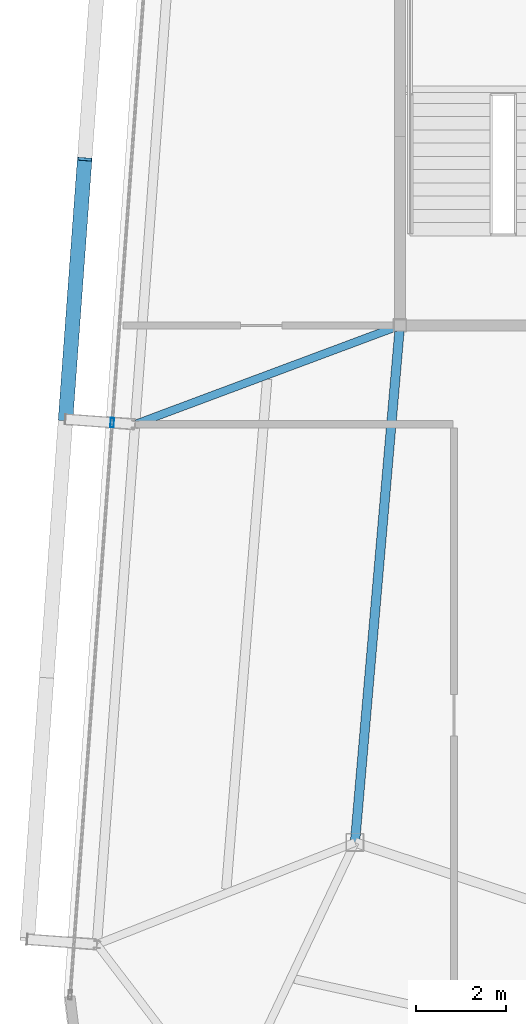
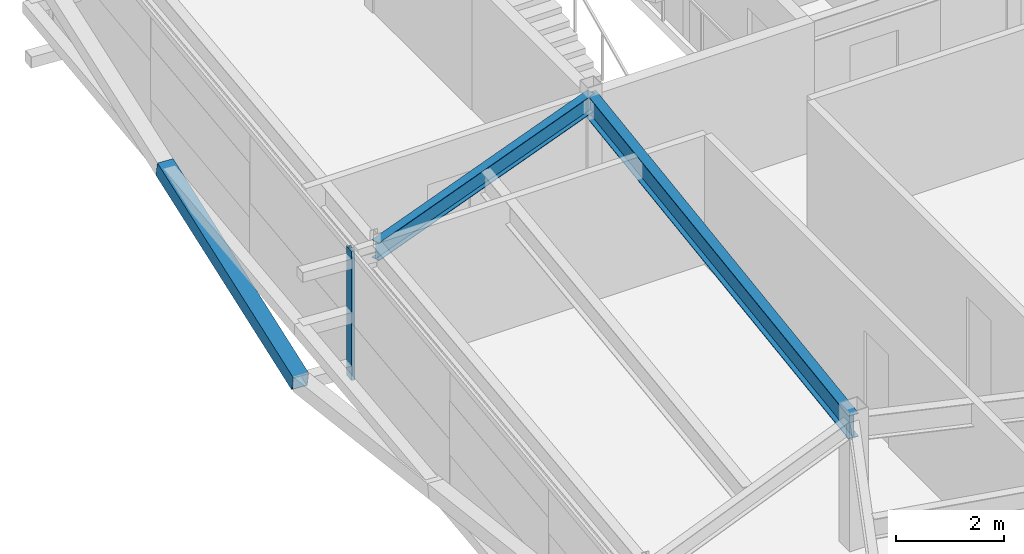
# One storey, part 13 of 36: 2 beams, 2 members, 1 element without a shape of its own.
"""IFC4 building model written with IfcOpenShell, lengths in metres."""

from ifc_helpers import new_model, si_unit, direction, frame, origin, origin_2d, place, context, subcontext, project, spatial, hollow_rectangle, i_section, extrude, source, transform, mapped, material, layer, layer_set, material_profile, profile_set, type_object, element, aggregate, save


model = new_model("IFC4")

# Units and contexts
model_context = context("Model", 3, precision=1e-05, world=origin(), true_north=direction((0.0, 1.0)))
body_context = subcontext(model_context, "Body", "Model", "MODEL_VIEW")
ifc_project = project(units=[si_unit("LENGTHUNIT", "METRE"), si_unit("AREAUNIT", "SQUARE_METRE"), si_unit("VOLUMEUNIT", "CUBIC_METRE"), si_unit("PLANEANGLEUNIT", "RADIAN"), si_unit("MASSUNIT", "GRAM", prefix="KILO")], contexts=[model_context])

# Site, building, storey
site_placement = place(None, origin())
site = spatial("IfcSite", under=ifc_project, at=site_placement, CompositionType="ELEMENT")
building_placement = place(site_placement, origin())
building = spatial("IfcBuilding", under=site, at=building_placement, Name="Taldren Reach Tower", CompositionType="ELEMENT")
storey_placement = place(building_placement, frame((0.0, 0.0, 227.14990234375)))
storey = spatial("IfcBuildingStorey", under=building, at=storey_placement, Name="L69", CompositionType="ELEMENT", Elevation=227.14990234375)

# Beams
ifc_material_1 = material(Name="Steel Gr 350 (350PLUS)", Category="steel")
ifc_material_profile_1 = material_profile(ifc_material_1, i_section(OverallWidth=0.208984375, OverallDepth=0.532958984375, WebThickness=0.01025390625, FlangeThickness=0.015625, at=origin_2d()), Name="530UB92.4")
ifc_profile_set_1 = profile_set([ifc_material_profile_1], Name="Steel Gr 350 (350PLUS)")
beam_type_1 = type_object("IfcBeamType", Name="BM-UB530A", PredefinedType="BEAM", material=ifc_profile_set_1)
shared_shape_1 = source(origin(), body_context, "Body", "SweptSolid", [
    extrude(i_section(OverallWidth=0.208984375, OverallDepth=0.532958984375, WebThickness=0.01025390625, FlangeThickness=0.015625, at=origin_2d()), origin(), (0.0, 0.0, 1.0), 11.54345703125),
])
beam_1_placement = place(storey_placement, frame((19.0, 24.0, 2.66357421875), z_axis=(-0.086629616365, -0.996240588196, 0.0), x_axis=(0.996240588196, -0.086629616365, 0.0)))
element("IfcBeam", 1, at=beam_1_placement, inside=storey, type_object=beam_type_1, Name="Core-spine girder L69-SP09", PredefinedType="BEAM", context=body_context, shape_type="MappedRepresentation", body=[
    mapped(shared_shape_1, transform((0.0, 0.0, 0.0), scale=1.0)),
])
ifc_material_profile_2 = material_profile(ifc_material_1, i_section(OverallWidth=0.177978515625, OverallDepth=0.406005859375, WebThickness=0.0078125, FlangeThickness=0.0126953125, at=origin_2d()), Name="410UB59.7")
ifc_profile_set_2 = profile_set([ifc_material_profile_2], Name="Steel Gr 350 (350PLUS)")
beam_type_2 = type_object("IfcBeamType", Name="BM-UB410", PredefinedType="BEAM", material=ifc_profile_set_2)
shared_shape_2 = source(origin(), body_context, "Body", "SweptSolid", [
    extrude(i_section(OverallWidth=0.177978515625, OverallDepth=0.406005859375, WebThickness=0.0078125, FlangeThickness=0.0126953125, at=origin_2d()), origin(), (0.0, 0.0, 1.0), 6.28857421875),
])
beam_2_placement = place(storey_placement, frame((19.0, 24.0, 2.72705078125), z_axis=(-0.936827605945, -0.349791418904, 0.0), x_axis=(0.349791418904, -0.936827605945, 0.0)))
element("IfcBeam", 2, at=beam_2_placement, inside=storey, type_object=beam_type_2, Name="Primary floor girder B5-W2 L69", PredefinedType="BEAM", context=body_context, shape_type="MappedRepresentation", body=[
    mapped(shared_shape_2, transform((0.0, 0.0, 0.0), scale=1.0)),
])

# Member
ifc_material_2 = material(Name="Steel Gr 450 (C450L0)", Category="steel")
ifc_material_profile_3 = material_profile(ifc_material_2, hollow_rectangle(XDim=0.324951171875, YDim=0.324951171875, WallThickness=0.0126953125, at=origin_2d()), Name="325x325x12.7SHS")
ifc_profile_set_3 = profile_set([ifc_material_profile_3], Name="Steel Gr 450 (C450L0)")
member_type_1 = type_object("IfcMemberType", Name="MB-BR324", PredefinedType="BRACE", material=ifc_profile_set_3)
shared_shape_3 = source(origin(), body_context, "Body", "SweptSolid", [
    extrude(hollow_rectangle(XDim=0.324951171875, YDim=0.324951171875, WallThickness=0.0126953125, at=origin_2d()), origin(), (0.0, 0.0, 1.0), 5.92578125),
])
member_1_placement = place(storey_placement, frame((11.562744140625, 21.913818359375, 0.22021484375), z_axis=(0.071686540919, 0.976131732187, 0.205007027365), x_axis=(-0.997314185625, 0.073242167855, 0.0)))
element("IfcMember", 3, at=member_1_placement, inside=storey, type_object=member_type_1, Name="Exoskeleton Diagrid Brace B5-W2 L69", PredefinedType="BRACE", context=body_context, shape_type="MappedRepresentation", body=[
    mapped(shared_shape_3, transform((0.0, 0.0, 0.0), scale=1.0)),
])

# Curtain wall, member
ifc_material_3 = material(Name="Aluminium and Low-E Glass Unitised System", Category="aluminium")
ifc_layer = layer(ifc_material_3, 0.159912109375)
ifc_layer_set = layer_set([ifc_layer], Name="Aluminium and Low-E Glass Unitised System")
curtain_wall_type = type_object("IfcCurtainWallType", Name="CW-SYS-7", PredefinedType="NOTDEFINED", material=ifc_layer_set)
curtain_wall_placement = place(storey_placement, origin())
curtain_wall = element("IfcCurtainWall", 4, at=curtain_wall_placement, inside=storey, type_object=curtain_wall_type, Name="Unitised curtain wall CW-L69-W", PredefinedType="NOTDEFINED")
ifc_material_4 = material(Name="Anodised Aluminium 6063-T6", Category="aluminium")
ifc_material_profile_4 = material_profile(ifc_material_4, hollow_rectangle(XDim=0.074951171875, YDim=0.2099609375, WallThickness=0.00439453125, at=origin_2d()), Name="ALU-210x75x4.5RHS")
ifc_profile_set_4 = profile_set([ifc_material_profile_4], Name="Anodised Aluminium 6063-T6")
member_type_2 = type_object("IfcMemberType", Name="CW-MUL-200", PredefinedType="MULLION", material=ifc_profile_set_4)
shared_shape_4 = source(origin(), body_context, "Body", "SweptSolid", [
    extrude(hollow_rectangle(XDim=0.074951171875, YDim=0.2099609375, WallThickness=0.00439453125, at=origin_2d()), origin(), (0.0, 0.0, 1.0), 2.93017578125),
])
member_2_placement = place(storey_placement, frame((12.60009765625, 21.837646484375, 0.0), z_axis=(0.0, 0.0, 1.0), x_axis=(0.997314470951, -0.073238282558, 0.0)))
member_2 = element("IfcMember", 5, at=member_2_placement, type_object=member_type_2, Name="CW-7 mullion 2", PredefinedType="MULLION", context=body_context, shape_type="MappedRepresentation", body=[
    mapped(shared_shape_4, transform((0.0, 0.0, 0.0), scale=1.0)),
])
aggregate(curtain_wall, [member_2])

save(model, "model.ifc")
